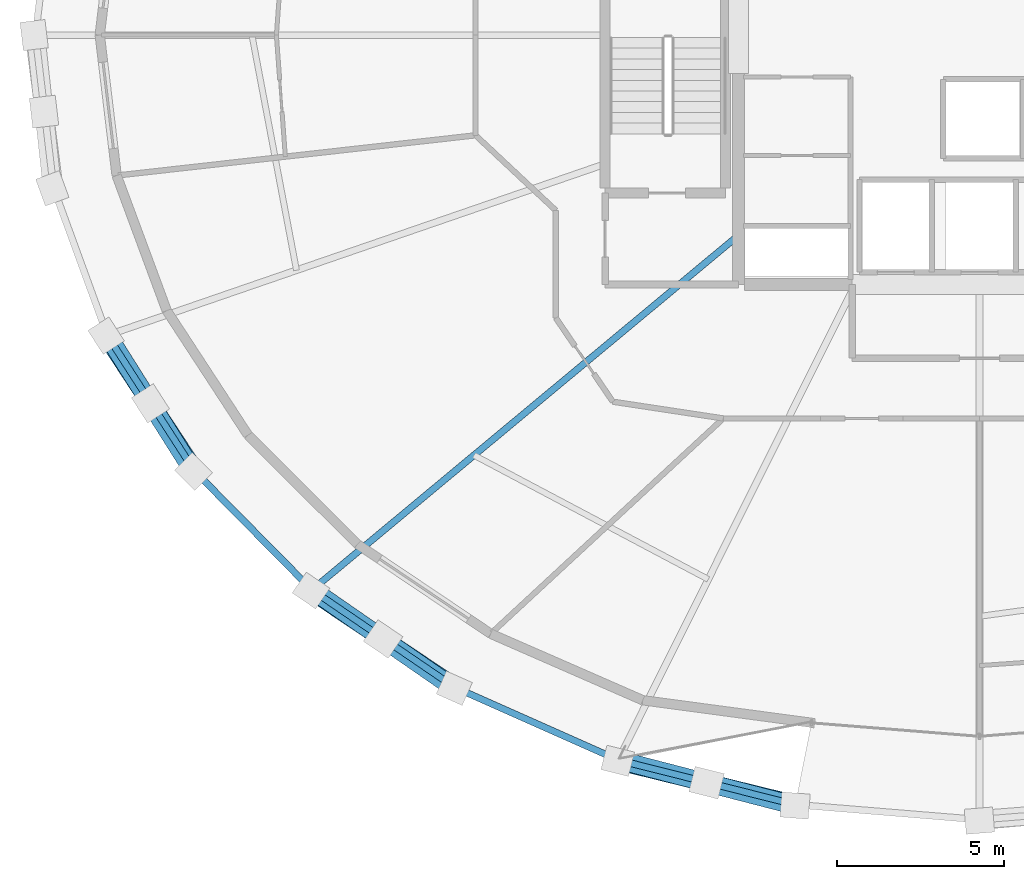
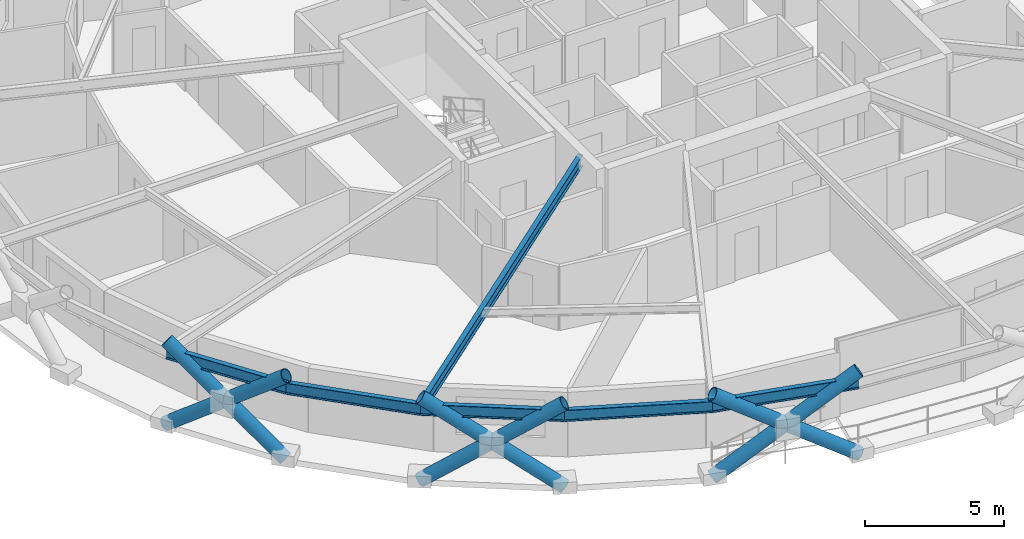
# One storey, part 1 of 19: 9 members, 6 beams.
"""IFC4 building model written with IfcOpenShell, lengths in metres."""

from ifc_helpers import new_model, si_unit, direction, frame, origin, origin_2d, place, context, subcontext, project, spatial, hollow_circle, i_section, extrude, material, material_profile, profile_set, type_object, element, save


model = new_model("IFC4")

# Units and contexts
model_context = context("Model", 3, precision=1e-05, world=origin(), true_north=direction((0.0, 1.0)))
body_context = subcontext(model_context, "Body", "Model", "MODEL_VIEW")
ifc_project = project(units=[si_unit("LENGTHUNIT", "METRE"), si_unit("AREAUNIT", "SQUARE_METRE"), si_unit("VOLUMEUNIT", "CUBIC_METRE"), si_unit("PLANEANGLEUNIT", "RADIAN"), si_unit("MASSUNIT", "GRAM", prefix="KILO")], contexts=[model_context])

# Site, building, storey
site_placement = place(None, origin())
site = spatial("IfcSite", under=ifc_project, at=site_placement, CompositionType="ELEMENT")
building_placement = place(site_placement, origin())
building = spatial("IfcBuilding", under=site, at=building_placement, Name="Veldorina Hangang Commons", CompositionType="ELEMENT")
storey_placement = place(building_placement, frame((0.0, 0.0, 156.800048828125)))
storey = spatial("IfcBuildingStorey", under=building, at=storey_placement, Name="L40", CompositionType="ELEMENT", Elevation=156.800048828125)

# Beams
ifc_material = material(Name="Steel SM420-TMC", Category="steel")
ifc_material_profile_1 = material_profile(ifc_material, i_section(OverallWidth=0.199951171875, OverallDepth=0.5, WebThickness=0.010009765625, FlangeThickness=0.01611328125, FilletRadius=0.01611328125, at=origin_2d()), Name="H-500x200x10x16")
ifc_profile_set_1 = profile_set([ifc_material_profile_1], Name="Steel SM420-TMC")
beam_type_1 = type_object("IfcBeamType", Name="BM-FG500", PredefinedType="BEAM", material=ifc_profile_set_1)
beam_1_placement = place(storey_placement, frame((24.800048828125, 18.01513671875, 3.099853515625), z_axis=(-0.769016904009, -0.639228442224, 0.0), x_axis=(0.639228442224, -0.769016904009, 0.0)))
element("IfcBeam", 1, at=beam_1_placement, inside=storey, type_object=beam_type_1, Name="L40 radial floor girder 11", PredefinedType="BEAM", context=body_context, shape_type="SweptSolid", body=[
    extrude(i_section(OverallWidth=0.199951171875, OverallDepth=0.5, WebThickness=0.010009765625, FlangeThickness=0.01611328125, FilletRadius=0.01611328125, at=origin_2d()), origin(), (0.0, 0.0, 1.0), 16.562744140625),
])
ifc_material_profile_2 = material_profile(ifc_material, i_section(OverallWidth=0.199951171875, OverallDepth=0.5, WebThickness=0.010009765625, FlangeThickness=0.01611328125, FilletRadius=0.01611328125, at=origin_2d()), Name="H-500x200x10x16")
ifc_profile_set_2 = profile_set([ifc_material_profile_2], Name="Steel SM420-TMC")
beam_type_2 = type_object("IfcBeamType", Name="BM-RB500", PredefinedType="BEAM", material=ifc_profile_set_2)
beam_2_placement = place(storey_placement, frame((5.950927734375, 15.03125, 3.099853515625), z_axis=(0.540883090356, -0.841097784188, 0.0), x_axis=(0.841097784188, 0.540883090356, 0.0)))
element("IfcBeam", 2, at=beam_2_placement, inside=storey, type_object=beam_type_2, Name="L40 perimeter hoop ring beam 18", PredefinedType="BEAM", context=body_context, shape_type="SweptSolid", body=[
    extrude(i_section(OverallWidth=0.199951171875, OverallDepth=0.5, WebThickness=0.010009765625, FlangeThickness=0.01611328125, FilletRadius=0.01611328125, at=origin_2d()), origin(), (0.0, 0.0, 1.0), 4.817626953125),
])
beam_3_placement = place(storey_placement, frame((8.556640625, 10.979248046875, 3.099853515625), z_axis=(0.702567342584, -0.711617263095, 0.0), x_axis=(0.711617263095, 0.702567342584, 0.0)))
element("IfcBeam", 3, at=beam_3_placement, inside=storey, type_object=beam_type_2, Name="L40 perimeter hoop ring beam 19", PredefinedType="BEAM", context=body_context, shape_type="SweptSolid", body=[
    extrude(i_section(OverallWidth=0.199951171875, OverallDepth=0.5, WebThickness=0.010009765625, FlangeThickness=0.01611328125, FilletRadius=0.01611328125, at=origin_2d()), origin(), (0.0, 0.0, 1.0), 4.99072265625),
])
beam_4_placement = place(storey_placement, frame((12.06298828125, 7.427734375, 3.099853515625), z_axis=(0.826091495569, -0.563536015663, 0.0), x_axis=(0.563536015663, 0.826091495569, 0.0)))
element("IfcBeam", 4, at=beam_4_placement, inside=storey, type_object=beam_type_2, Name="L40 perimeter hoop ring beam 20", PredefinedType="BEAM", context=body_context, shape_type="SweptSolid", body=[
    extrude(i_section(OverallWidth=0.199951171875, OverallDepth=0.5, WebThickness=0.010009765625, FlangeThickness=0.01611328125, FilletRadius=0.01611328125, at=origin_2d()), origin(), (0.0, 0.0, 1.0), 5.171875),
])
beam_5_placement = place(storey_placement, frame((16.33544921875, 4.51318359375, 3.099853515625), z_axis=(0.913866274183, -0.406015311177, 0.0), x_axis=(0.406015311177, 0.913866274183, 0.0)))
element("IfcBeam", 5, at=beam_5_placement, inside=storey, type_object=beam_type_2, Name="L40 perimeter hoop ring beam 21", PredefinedType="BEAM", context=body_context, shape_type="SweptSolid", body=[
    extrude(i_section(OverallWidth=0.199951171875, OverallDepth=0.5, WebThickness=0.010009765625, FlangeThickness=0.01611328125, FilletRadius=0.01611328125, at=origin_2d()), origin(), (0.0, 0.0, 1.0), 5.334228515625),
])
beam_6_placement = place(storey_placement, frame((21.210205078125, 2.347412109375, 3.099853515625), z_axis=(0.969645504814, -0.244515019978, 0.0), x_axis=(0.244515019978, 0.969645504814, 0.0)))
element("IfcBeam", 6, at=beam_6_placement, inside=storey, type_object=beam_type_2, Name="L40 perimeter hoop ring beam 22", PredefinedType="BEAM", context=body_context, shape_type="SweptSolid", body=[
    extrude(i_section(OverallWidth=0.199951171875, OverallDepth=0.5, WebThickness=0.010009765625, FlangeThickness=0.01611328125, FilletRadius=0.01611328125, at=origin_2d()), origin(), (0.0, 0.0, 1.0), 5.45458984375),
])

# Members
ifc_material_profile_3 = material_profile(ifc_material, hollow_circle(Radius=0.27490234375, WallThickness=0.028076171875, at=origin_2d()), Name="CHS-550x28")
ifc_profile_set_3 = profile_set([ifc_material_profile_3], Name="Steel SM420-TMC")
member_type = type_object("IfcMemberType", Name="DG-CHS550", PredefinedType="BRACE", material=ifc_profile_set_3)
member_1_placement = place(storey_placement, frame((5.914306640625, 15.0205078125, 0.0), z_axis=(0.43956989544, -0.67052141819, 0.597644823261), x_axis=(0.836310866841, 0.548255537139, 0.0)))
element("IfcMember", 7, at=member_1_placement, inside=storey, type_object=member_type, Name="L40 continuous perimeter diagrid brace 18", PredefinedType="BRACE", context=body_context, shape_type="SweptSolid", body=[
    extrude(hollow_circle(Radius=0.27490234375, WallThickness=0.028076171875, at=origin_2d()), origin(), (0.0, 0.0, 1.0), 6.0234375),
])
member_2_placement = place(storey_placement, frame((8.5234375, 10.9638671875, 0.0), z_axis=(-0.427212878954, 0.67715799232, 0.599121197666), x_axis=(-0.845751491708, -0.533576999386, 0.0)))
element("IfcMember", 8, at=member_2_placement, inside=storey, type_object=member_type, Name="L40 split perimeter diagrid lower brace 19", PredefinedType="BRACE", context=body_context, shape_type="SweptSolid", body=[
    extrude(hollow_circle(Radius=0.27490234375, WallThickness=0.028076171875, at=origin_2d()), origin(), (0.0, 0.0, 1.0), 3.006591796875),
])
member_3_placement = place(storey_placement, frame((7.239013671875, 12.999755859375, 1.80126953125), z_axis=(-0.427102298707, 0.677248275634, 0.599097988304), x_axis=(-0.845845906204, -0.533427317409, 0.0)))
element("IfcMember", 9, at=member_3_placement, inside=storey, type_object=member_type, Name="L40 split perimeter diagrid upper brace 19", PredefinedType="BRACE", context=body_context, shape_type="SweptSolid", body=[
    extrude(hollow_circle(Radius=0.27490234375, WallThickness=0.028076171875, at=origin_2d()), origin(), (0.0, 0.0, 1.0), 3.002197265625),
])
member_4_placement = place(storey_placement, frame((12.034912109375, 7.408203125, 0.0), z_axis=(0.681875863667, -0.458051948577, 0.570292660792), x_axis=(0.55761962355, 0.830096594037, 0.0)))
element("IfcMember", 10, at=member_4_placement, inside=storey, type_object=member_type, Name="L40 continuous perimeter diagrid brace 20", PredefinedType="BRACE", context=body_context, shape_type="SweptSolid", body=[
    extrude(hollow_circle(Radius=0.27490234375, WallThickness=0.028076171875, at=origin_2d()), origin(), (0.0, 0.0, 1.0), 6.312255859375),
])
member_5_placement = place(storey_placement, frame((16.3134765625, 4.489990234375, 0.0), z_axis=(-0.674465109685, 0.467080456862, 0.571780257297), x_axis=(-0.569327862671, -0.822110567252, 0.0)))
element("IfcMember", 11, at=member_5_placement, inside=storey, type_object=member_type, Name="L40 split perimeter diagrid lower brace 21", PredefinedType="BRACE", context=body_context, shape_type="SweptSolid", body=[
    extrude(hollow_circle(Radius=0.27490234375, WallThickness=0.028076171875, at=origin_2d()), origin(), (0.0, 0.0, 1.0), 3.150390625),
])
member_6_placement = place(storey_placement, frame((14.188720703125, 5.96142578125, 1.80126953125), z_axis=(-0.674397656958, 0.467165323654, 0.571790486686), x_axis=(-0.569436255911, -0.82203549221, 0.0)))
element("IfcMember", 12, at=member_6_placement, inside=storey, type_object=member_type, Name="L40 split perimeter diagrid upper brace 21", PredefinedType="BRACE", context=body_context, shape_type="SweptSolid", body=[
    extrude(hollow_circle(Radius=0.27490234375, WallThickness=0.028076171875, at=origin_2d()), origin(), (0.0, 0.0, 1.0), 3.1455078125),
])
member_7_placement = place(storey_placement, frame((21.195068359375, 2.32177734375, 0.0), z_axis=(0.810899426734, -0.199263859867, 0.550214534407), x_axis=(0.238632684941, 0.971109901956, 0.0)))
element("IfcMember", 13, at=member_7_placement, inside=storey, type_object=member_type, Name="L40 continuous perimeter diagrid brace 22", PredefinedType="BRACE", context=body_context, shape_type="SweptSolid", body=[
    extrude(hollow_circle(Radius=0.27490234375, WallThickness=0.028076171875, at=origin_2d()), origin(), (0.0, 0.0, 1.0), 6.542724609375),
])
member_8_placement = place(storey_placement, frame((26.49169921875, 0.986572265625, 0.0), z_axis=(-0.808017737661, 0.208780851539, 0.550924578917), x_axis=(-0.250170261394, -0.96820185928, 0.0)))
element("IfcMember", 14, at=member_8_placement, inside=storey, type_object=member_type, Name="L40 split perimeter diagrid lower brace 23", PredefinedType="BRACE", context=body_context, shape_type="SweptSolid", body=[
    extrude(hollow_circle(Radius=0.27490234375, WallThickness=0.028076171875, at=origin_2d()), origin(), (0.0, 0.0, 1.0), 3.26953125),
])
member_9_placement = place(storey_placement, frame((23.849853515625, 1.669189453125, 1.80126953125), z_axis=(-0.807903299561, 0.209043669901, 0.550992742813), x_axis=(-0.250498689418, -0.968116938494, 0.0)))
element("IfcMember", 15, at=member_9_placement, inside=storey, type_object=member_type, Name="L40 split perimeter diagrid upper brace 23", PredefinedType="BRACE", context=body_context, shape_type="SweptSolid", body=[
    extrude(hollow_circle(Radius=0.27490234375, WallThickness=0.028076171875, at=origin_2d()), origin(), (0.0, 0.0, 1.0), 3.26416015625),
])

save(model, "model.ifc")
